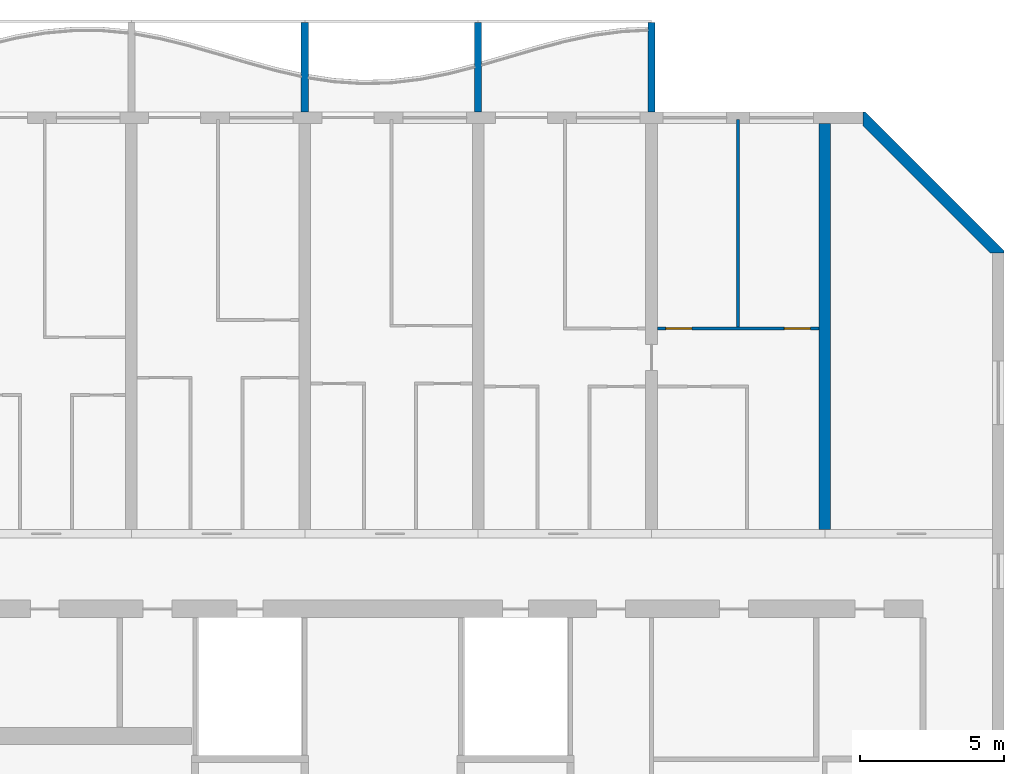
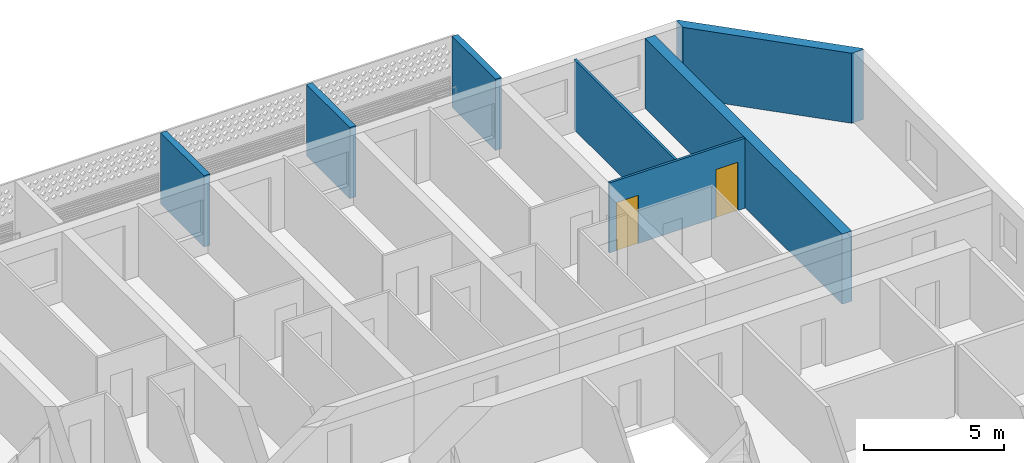
# One storey, part 16 of 39: 7 walls, 2 doors, 2 openings.
"""IFC4 building model written with IfcOpenShell, lengths in metres."""

from ifc_helpers import new_model, si_unit, direction, frame, frame_2d, origin, place, context, subcontext, project, spatial, polyline, rectangle, outline, extrude, source, transform, mapped, material, layer, layer_set, type_object, element, fill, save


model = new_model("IFC4")

# Units and contexts
model_context = context("Model", 3, precision=1e-05, world=origin(), true_north=direction((0.0, 1.0)))
body_context = subcontext(model_context, "Body", "Model", "MODEL_VIEW")
ifc_project = project(units=[si_unit("LENGTHUNIT", "METRE"), si_unit("AREAUNIT", "SQUARE_METRE"), si_unit("VOLUMEUNIT", "CUBIC_METRE"), si_unit("PLANEANGLEUNIT", "RADIAN"), si_unit("MASSUNIT", "GRAM", prefix="KILO")], contexts=[model_context])

# Site, building, storey
site_placement = place(None, origin())
site = spatial("IfcSite", under=ifc_project, at=site_placement, CompositionType="ELEMENT")
building_placement = place(site_placement, origin())
building = spatial("IfcBuilding", under=site, at=building_placement, Name="Poui Terraces", CompositionType="ELEMENT")
storey_placement = place(building_placement, frame((0.0, 0.0, 56.39990234375)))
storey = spatial("IfcBuildingStorey", under=building, at=storey_placement, Name="L15", CompositionType="ELEMENT", Elevation=56.39990234375)

# Wall
ifc_material_1 = material(Name="Concrete 80 MPa", Category="concrete")
ifc_layer_1 = layer(ifc_material_1, 0.39990234375)
ifc_layer_set_1 = layer_set([ifc_layer_1], Name="Concrete 80 MPa")
wall_type_1 = type_object("IfcWallType", Name="CROSS WALL 400 80MPa", PredefinedType="SHEAR", material=ifc_layer_set_1)
wall_1_placement = place(storey_placement, frame((90.0, 30.550048828125, 0.0), z_axis=(0.0, 0.0, 1.0), x_axis=(0.0, 1.0, 0.0)))
element("IfcWall", 1, at=wall_1_placement, inside=storey, type_object=wall_type_1, Name="CROSS WALL LINE 16 NORTH", PredefinedType="SHEAR", context=body_context, shape_type="SweptSolid", body=[
    extrude(rectangle(XDim=14.050048828125, YDim=0.39990234375, at=frame_2d((7.02490234375, 0.0))), origin(), (0.0, 0.0, 1.0), 3.050048828125),
])

# Wall, openings, doors
ifc_material_2 = material(Name="Plasterboard partition")
ifc_layer_2 = layer(ifc_material_2, 0.10009765625)
ifc_layer_set_2 = layer_set([ifc_layer_2], Name="Plasterboard partition")
wall_type_2 = type_object("IfcWallType", Name="FLAT PARTITION 100", PredefinedType="PARTITIONING", material=ifc_layer_set_2)
wall_2_placement = place(storey_placement, frame((84.2099609375, 37.5, 0.0), z_axis=(0.0, 0.0, 1.0), x_axis=(1.0, 0.0, 0.0)))
wall_2 = element("IfcWall", 2, at=wall_2_placement, inside=storey, type_object=wall_type_2, Name="FLAT PARTITION 100", PredefinedType="PARTITIONING", context=body_context, shape_type="SweptSolid", body=[
    extrude(rectangle(XDim=5.580078125, YDim=0.10009765625, at=frame_2d((2.7900390625, 0.0))), origin(), (0.0, 0.0, 1.0), 3.050048828125),
])
opening_1_placement = place(wall_2_placement, frame((0.2900390625, 0.0, 0.0)))
opening_1 = element("IfcOpeningElement", 3, at=opening_1_placement, cuts=wall_2, Name="Opening D90", PredefinedType="OPENING", context=body_context, shape_type="SweptSolid", body=[
    extrude(rectangle(XDim=0.89990234375, YDim=2.10009765625, at=frame_2d((0.449951171875, 1.050048828125))), frame((0.0, 0.06005859375, 0.0), z_axis=(0.0, -1.0, 0.0), x_axis=(1.0, 0.0, 0.0)), (0.0, 0.0, 1.0), 0.1201171875),
])
opening_2_placement = place(wall_2_placement, frame((4.389892578125, 0.0, 0.0)))
opening_2 = element("IfcOpeningElement", 4, at=opening_2_placement, cuts=wall_2, Name="Opening D90", PredefinedType="OPENING", context=body_context, shape_type="SweptSolid", body=[
    extrude(rectangle(XDim=0.89990234375, YDim=2.10009765625, at=frame_2d((0.449951171875, 1.050048828125))), frame((0.0, 0.06005859375, 0.0), z_axis=(0.0, -1.0, 0.0), x_axis=(1.0, 0.0, 0.0)), (0.0, 0.0, 1.0), 0.1201171875),
])
ifc_material_3 = material(Name="Solid core timber door", Category="wood")
door_type = type_object("IfcDoorType", Name="INTERNAL DOOR 900 X 2100", OperationType="NOTDEFINED", PredefinedType="DOOR", material=ifc_material_3)
door_1_placement = place(opening_1_placement, origin())
door_1 = element("IfcDoor", 5, at=door_1_placement, inside=storey, type_object=door_type, Name="INTERNAL DOOR 075", OperationType="SINGLE_SWING_LEFT", OverallHeight=2.10009765625, OverallWidth=0.89990234375, PredefinedType="DOOR", context=body_context, shape_type="SweptSolid", body=[
    extrude(rectangle(XDim=0.89990234375, YDim=2.10009765625, at=frame_2d((0.449951171875, 1.050048828125))), frame((0.0, 0.02490234375, 0.0), z_axis=(0.0, -1.0, 0.0), x_axis=(1.0, 0.0, 0.0)), (0.0, 0.0, 1.0), 0.050048828125),
])
fill(opening_1, door_1)
door_2_placement = place(opening_2_placement, origin())
door_2 = element("IfcDoor", 6, at=door_2_placement, inside=storey, type_object=door_type, Name="INTERNAL DOOR 077", OperationType="SINGLE_SWING_RIGHT", OverallHeight=2.10009765625, OverallWidth=0.89990234375, PredefinedType="DOOR", context=body_context, shape_type="SweptSolid", body=[
    extrude(rectangle(XDim=0.89990234375, YDim=2.10009765625, at=frame_2d((0.449951171875, 1.050048828125))), frame((0.0, 0.02490234375, 0.0), z_axis=(0.0, -1.0, 0.0), x_axis=(1.0, 0.0, 0.0)), (0.0, 0.0, 1.0), 0.050048828125),
])
fill(opening_2, door_2)

# Walls
wall_3_placement = place(storey_placement, frame((87.0, 37.550048828125, 0.0), z_axis=(0.0, 0.0, 1.0), x_axis=(0.0, 1.0, 0.0)))
element("IfcWall", 7, at=wall_3_placement, inside=storey, type_object=wall_type_2, Name="FLAT PARTITION 100", PredefinedType="PARTITIONING", context=body_context, shape_type="SweptSolid", body=[
    extrude(rectangle(XDim=7.18994140625, YDim=0.10009765625, at=frame_2d((3.594970703125, 0.0))), origin(), (0.0, 0.0, 1.0), 3.050048828125),
])
ifc_material_4 = material(Name="Precast concrete 40 MPa", Category="concrete")
ifc_layer_3 = layer(ifc_material_4, 0.39990234375)
ifc_layer_set_3 = layer_set([ifc_layer_3], Name="Precast concrete 40 MPa")
wall_type_3 = type_object("IfcWallType", Name="TERRACOTTA CLAD CHAMFER WALL 400", PredefinedType="STANDARD", material=ifc_layer_set_3)
wall_4_placement = place(storey_placement, origin())
element("IfcWall", 8, at=wall_4_placement, inside=storey, type_object=wall_type_3, Name="CHAMFER WALL CH03", PredefinedType="STANDARD", context=body_context, shape_type="SweptSolid", body=[
    extrude(outline(polyline([(96.199951171875, 40.1171875), (96.199951171875, 40.199951171875), (91.39990234375, 45.0), (91.317138671875, 45.0), (91.317138671875, 44.51708984375), (95.71728515625, 40.1171875), (96.199951171875, 40.1171875)])), origin(), (0.0, 0.0, 1.0), 3.050048828125),
])
ifc_layer_4 = layer(ifc_material_4, 0.25)
ifc_layer_set_4 = layer_set([ifc_layer_4], Name="Precast concrete 40 MPa")
wall_type_4 = type_object("IfcWallType", Name="BALCONY FIN 250", PredefinedType="STANDARD", material=ifc_layer_set_4)
shared_shape = source(origin(), body_context, "Body", "SweptSolid", [
    extrude(outline(polyline([(0.0, 0.0), (0.25, 0.0), (0.25, 3.10009765625), (0.0, 3.10009765625), (0.0, 0.0)])), origin(), (0.0, 0.0, 1.0), 3.10009765625),
])
for number, where, name in (
    (9, (71.875, 45.0, 0.0), "BALCONY FIN"),
    (10, (77.875, 45.0, 0.0), "BALCONY FIN"),
    (11, (83.875, 45.0, 0.0), "BALCONY FIN"),
):
    element("IfcWall", number, at=place(storey_placement, frame(where)), inside=storey, type_object=wall_type_4, Name=name, PredefinedType="STANDARD", context=body_context, shape_type="MappedRepresentation", body=[
        mapped(shared_shape, transform((0.0, 0.0, 0.0))),
    ])

save(model, "model.ifc")
